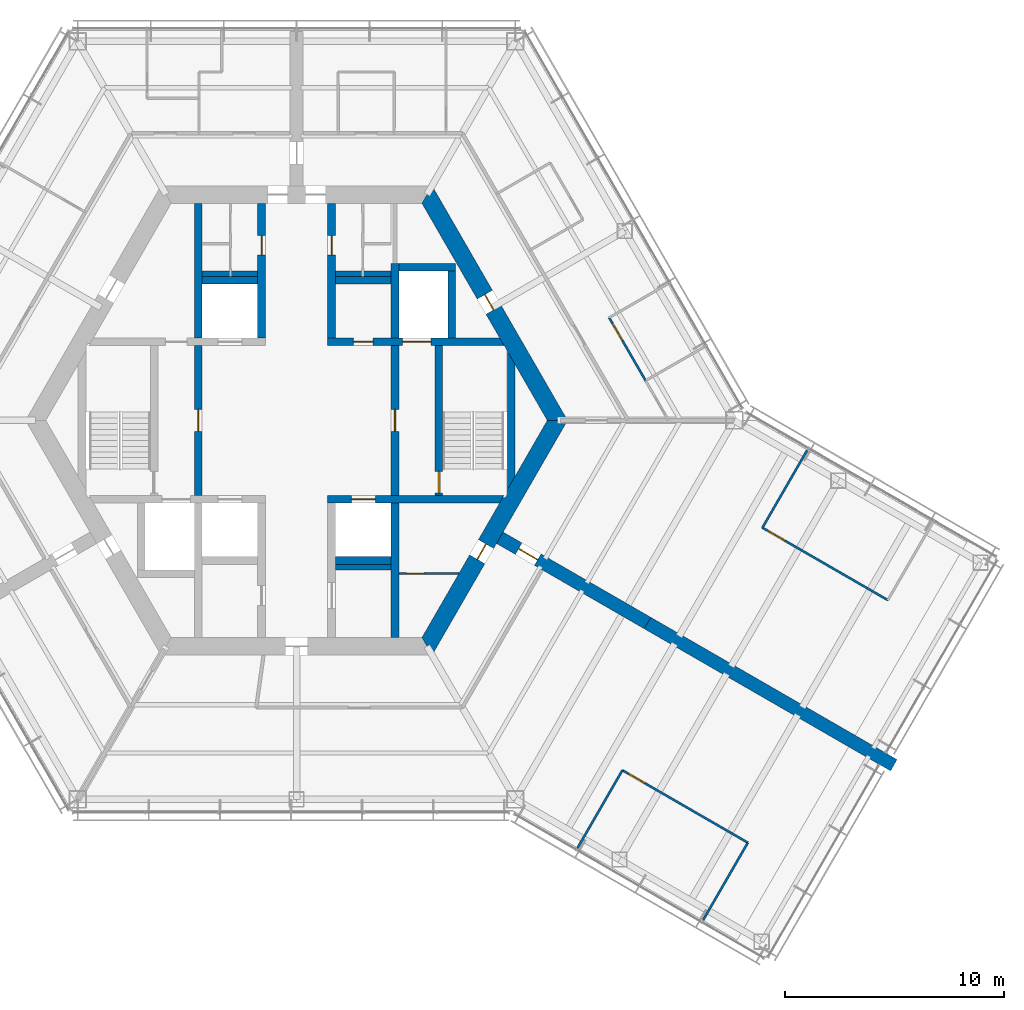
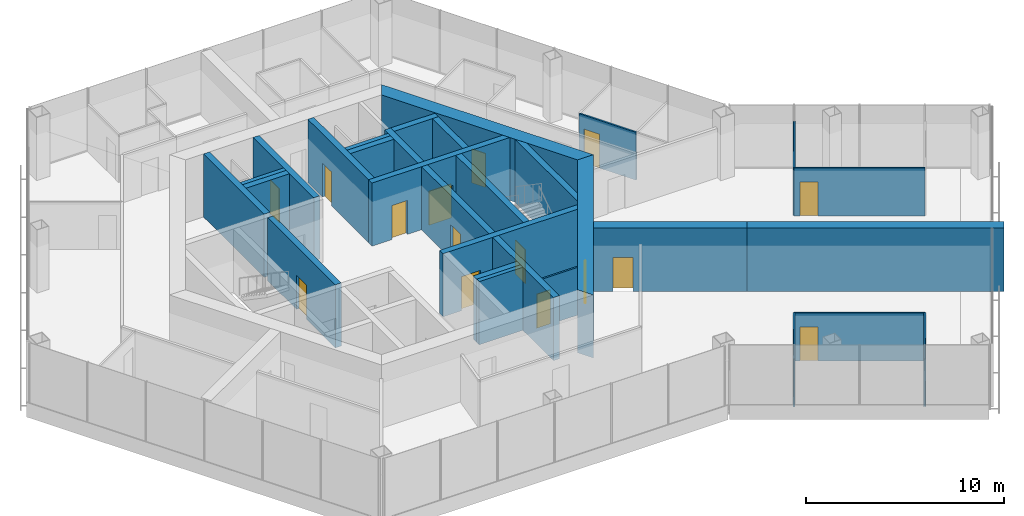
# One storey, part 11 of 15: 30 walls, 15 doors, 15 openings.
"""IFC4 building model written with IfcOpenShell, lengths in metres."""

from ifc_helpers import new_model, si_unit, direction, frame, frame_2d, origin, place, context, subcontext, project, spatial, polyline, rectangle, outline, extrude, material, layer, layer_set, type_object, element, fill, save


model = new_model("IFC4")

# Units and contexts
model_context = context("Model", 3, precision=1e-05, world=origin(), true_north=direction((0.0, 1.0)))
body_context = subcontext(model_context, "Body", "Model", "MODEL_VIEW")
ifc_project = project(units=[si_unit("LENGTHUNIT", "METRE"), si_unit("AREAUNIT", "SQUARE_METRE"), si_unit("VOLUMEUNIT", "CUBIC_METRE"), si_unit("PLANEANGLEUNIT", "RADIAN"), si_unit("MASSUNIT", "GRAM", prefix="KILO")], contexts=[model_context])

# Site, building, storey
site_placement = place(None, origin())
site = spatial("IfcSite", under=ifc_project, at=site_placement, CompositionType="ELEMENT")
building_placement = place(site_placement, origin())
building = spatial("IfcBuilding", under=site, at=building_placement, Name="Kasaneha Research Tower", CompositionType="ELEMENT")
storey_placement = place(building_placement, frame((0.0, 0.0, 220.60009765625)))
storey = spatial("IfcBuildingStorey", under=building, at=storey_placement, Name="L55", CompositionType="ELEMENT", Elevation=220.60009765625)

# Wall, openings, doors
ifc_material_1 = material(Name="Concrete Fc60", Category="concrete")
ifc_layer_1 = layer(ifc_material_1, 0.35009765625)
ifc_layer_set_1 = layer_set([ifc_layer_1], Name="Core internal wall 350 Fc60")
wall_type_1 = type_object("IfcWallType", Name="Core internal wall 350 Fc60", PredefinedType="SHEAR", material=ifc_layer_set_1)
wall_1_placement = place(storey_placement, frame((1.425048828125, 3.60009765625, 0.0), z_axis=(0.0, 0.0, 1.0), x_axis=(1.0, 0.0, 0.0)))
wall_1 = element("IfcWall", 1, at=wall_1_placement, inside=storey, type_object=wall_type_1, Name="Core wall W1E L55", PredefinedType="SHEAR", context=body_context, shape_type="SweptSolid", body=[
    extrude(outline(polyline([(0.0, -0.175048828125), (1.175048828125, -0.175048828125), (2.074951171875, -0.175048828125), (3.425048828125, -0.175048828125), (4.72509765625, -0.175048828125), (8.057861328125, -0.175048828125), (7.855712890625, 0.175048828125), (4.72509765625, 0.175048828125), (3.425048828125, 0.175048828125), (2.074951171875, 0.175048828125), (1.175048828125, 0.175048828125), (0.0, 0.175048828125), (0.0, -0.175048828125)])), origin(), (0.0, 0.0, 1.0), 3.89990234375),
])
opening_1_placement = place(wall_1_placement, frame((1.175048828125, 0.0, 0.0)))
opening_1 = element("IfcOpeningElement", 2, at=opening_1_placement, cuts=wall_1, Name="Opening L55-D17", PredefinedType="OPENING", context=body_context, shape_type="SweptSolid", body=[
    extrude(rectangle(XDim=0.89990234375, YDim=2.10009765625, at=frame_2d((0.449951171875, 1.050048828125))), frame((0.0, 0.18505859375, 0.0), z_axis=(0.0, -1.0, 0.0), x_axis=(1.0, 0.0, 0.0)), (0.0, 0.0, 1.0), 0.3701171875),
])
opening_2_placement = place(wall_1_placement, frame((3.425048828125, 0.0, 0.0)))
opening_2 = element("IfcOpeningElement", 3, at=opening_2_placement, cuts=wall_1, Name="Opening LD-FL1-L55", PredefinedType="OPENING", context=body_context, shape_type="SweptSolid", body=[
    extrude(rectangle(XDim=1.300048828125, YDim=2.10009765625, at=frame_2d((0.64990234375, 1.050048828125))), frame((0.0, 0.18505859375, 0.0), z_axis=(0.0, -1.0, 0.0), x_axis=(1.0, 0.0, 0.0)), (0.0, 0.0, 1.0), 0.3701171875),
])
ifc_material_2 = material(Name="Steel", Category="steel")
door_type_1 = type_object("IfcDoorType", Name="Lift landing door 1300x2100", OperationType="DOUBLE_DOOR_SLIDING", PredefinedType="DOOR", material=ifc_material_2)
door_1_placement = place(opening_2_placement, origin())
door_1 = element("IfcDoor", 4, at=door_1_placement, inside=storey, type_object=door_type_1, Name="Landing door FL1 LD-FL1-L55", OperationType="DOUBLE_DOOR_SLIDING", OverallHeight=2.10009765625, OverallWidth=1.300048828125, PredefinedType="DOOR", context=body_context, shape_type="SweptSolid", body=[
    extrude(rectangle(XDim=1.300048828125, YDim=2.10009765625, at=frame_2d((0.64990234375, 1.050048828125))), frame((0.0, 0.02490234375, 0.0), z_axis=(0.0, -1.0, 0.0), x_axis=(1.0, 0.0, 0.0)), (0.0, 0.0, 1.0), 0.050048828125),
])
fill(opening_2, door_1)
ifc_material_3 = material(Name="Steel", Category="steel")
door_type_2 = type_object("IfcDoorType", Name="Shaft room door FD60 900x2100", OperationType="NOTDEFINED", PredefinedType="DOOR", material=ifc_material_3)
door_2_placement = place(opening_1_placement, origin())
door_2 = element("IfcDoor", 5, at=door_2_placement, inside=storey, type_object=door_type_2, Name="Housekeeping store door L55-D17", OperationType="SINGLE_SWING_LEFT", OverallHeight=2.10009765625, OverallWidth=0.89990234375, PredefinedType="DOOR", context=body_context, shape_type="SweptSolid", body=[
    extrude(rectangle(XDim=0.89990234375, YDim=2.10009765625, at=frame_2d((0.449951171875, 1.050048828125))), frame((0.0, 0.02490234375, 0.0), z_axis=(0.0, -1.0, 0.0), x_axis=(1.0, 0.0, 0.0)), (0.0, 0.0, 1.0), 0.050048828125),
])
fill(opening_1, door_2)

# Wall, opening, door
wall_2_placement = place(storey_placement, frame((1.425048828125, -3.60009765625, 0.0), z_axis=(0.0, 0.0, 1.0), x_axis=(1.0, 0.0, 0.0)))
wall_2 = element("IfcWall", 6, at=wall_2_placement, inside=storey, type_object=wall_type_1, Name="Core wall W2E L55", PredefinedType="SHEAR", context=body_context, shape_type="SweptSolid", body=[
    extrude(outline(polyline([(0.0, -0.175048828125), (1.074951171875, -0.175048828125), (2.175048828125, -0.175048828125), (7.855712890625, -0.175048828125), (8.057861328125, 0.175048828125), (2.175048828125, 0.175048828125), (1.074951171875, 0.175048828125), (0.0, 0.175048828125), (0.0, -0.175048828125)])), origin(), (0.0, 0.0, 1.0), 3.89990234375),
])
opening_3_placement = place(wall_2_placement, frame((1.074951171875, 0.0, 0.0)))
opening_3 = element("IfcOpeningElement", 7, at=opening_3_placement, cuts=wall_2, Name="Opening LD-LH3-L55", PredefinedType="OPENING", context=body_context, shape_type="SweptSolid", body=[
    extrude(rectangle(XDim=1.10009765625, YDim=2.10009765625, at=frame_2d((0.550048828125, 1.050048828125))), frame((0.0, 0.18505859375, 0.0), z_axis=(0.0, -1.0, 0.0), x_axis=(1.0, 0.0, 0.0)), (0.0, 0.0, 1.0), 0.3701171875),
])
ifc_material_4 = material(Name="Steel", Category="steel")
door_type_3 = type_object("IfcDoorType", Name="Lift landing door 1100x2100", OperationType="DOUBLE_DOOR_SLIDING", PredefinedType="DOOR", material=ifc_material_4)
door_3_placement = place(opening_3_placement, origin())
door_3 = element("IfcDoor", 8, at=door_3_placement, inside=storey, type_object=door_type_3, Name="Landing door LH3 LD-LH3-L55", OperationType="DOUBLE_DOOR_SLIDING", OverallHeight=2.10009765625, OverallWidth=1.10009765625, PredefinedType="DOOR", context=body_context, shape_type="SweptSolid", body=[
    extrude(rectangle(XDim=1.10009765625, YDim=2.10009765625, at=frame_2d((0.550048828125, 1.050048828125))), frame((0.0, 0.02490234375, 0.0), z_axis=(0.0, -1.0, 0.0), x_axis=(1.0, 0.0, 0.0)), (0.0, 0.0, 1.0), 0.050048828125),
])
fill(opening_3, door_3)

wall_3_placement = place(storey_placement, frame((-1.60009765625, 3.77490234375, 0.0), z_axis=(0.0, 0.0, 1.0), x_axis=(0.0, 1.0, 0.0)))
wall_3 = element("IfcWall", 9, at=wall_3_placement, inside=storey, type_object=wall_type_1, Name="Core wall CNW L55", PredefinedType="SHEAR", context=body_context, shape_type="SweptSolid", body=[
    extrude(rectangle(XDim=6.150146484375, YDim=0.35009765625, at=frame_2d((3.0751953125, 0.0))), origin(), (0.0, 0.0, 1.0), 3.89990234375),
])
opening_4_placement = place(wall_3_placement, frame((3.77490234375, 0.0, 0.0)))
opening_4 = element("IfcOpeningElement", 10, at=opening_4_placement, cuts=wall_3, Name="Opening L55-D13", PredefinedType="OPENING", context=body_context, shape_type="SweptSolid", body=[
    extrude(rectangle(XDim=0.89990234375, YDim=2.10009765625, at=frame_2d((0.449951171875, 1.050048828125))), frame((0.0, 0.18505859375, 0.0), z_axis=(0.0, -1.0, 0.0), x_axis=(1.0, 0.0, 0.0)), (0.0, 0.0, 1.0), 0.3701171875),
])
ifc_material_5 = material(Name="Steel", Category="steel")
door_type_4 = type_object("IfcDoorType", Name="Toilet door FD20 900x2100", OperationType="NOTDEFINED", PredefinedType="DOOR", material=ifc_material_5)
door_4_placement = place(opening_4_placement, origin())
door_4 = element("IfcDoor", 11, at=door_4_placement, inside=storey, type_object=door_type_4, Name="Men's WC door L55-D13", OperationType="SINGLE_SWING_LEFT", OverallHeight=2.10009765625, OverallWidth=0.89990234375, PredefinedType="DOOR", context=body_context, shape_type="SweptSolid", body=[
    extrude(rectangle(XDim=0.89990234375, YDim=2.10009765625, at=frame_2d((0.449951171875, 1.050048828125))), frame((0.0, 0.02490234375, 0.0), z_axis=(0.0, -1.0, 0.0), x_axis=(1.0, 0.0, 0.0)), (0.0, 0.0, 1.0), 0.050048828125),
])
fill(opening_4, door_4)

wall_4_placement = place(storey_placement, frame((1.60009765625, 3.77490234375, 0.0), z_axis=(0.0, 0.0, 1.0), x_axis=(0.0, 1.0, 0.0)))
wall_4 = element("IfcWall", 12, at=wall_4_placement, inside=storey, type_object=wall_type_1, Name="Core wall CNE L55", PredefinedType="SHEAR", context=body_context, shape_type="SweptSolid", body=[
    extrude(rectangle(XDim=6.150146484375, YDim=0.35009765625, at=frame_2d((3.0751953125, 0.0))), origin(), (0.0, 0.0, 1.0), 3.89990234375),
])
opening_5_placement = place(wall_4_placement, frame((3.77490234375, 0.0, 0.0)))
opening_5 = element("IfcOpeningElement", 13, at=opening_5_placement, cuts=wall_4, Name="Opening L55-D14", PredefinedType="OPENING", context=body_context, shape_type="SweptSolid", body=[
    extrude(rectangle(XDim=0.89990234375, YDim=2.10009765625, at=frame_2d((0.449951171875, 1.050048828125))), frame((0.0, 0.18505859375, 0.0), z_axis=(0.0, -1.0, 0.0), x_axis=(1.0, 0.0, 0.0)), (0.0, 0.0, 1.0), 0.3701171875),
])
door_5_placement = place(opening_5_placement, origin())
door_5 = element("IfcDoor", 14, at=door_5_placement, inside=storey, type_object=door_type_4, Name="Women's WC door L55-D14", OperationType="SINGLE_SWING_LEFT", OverallHeight=2.10009765625, OverallWidth=0.89990234375, PredefinedType="DOOR", context=body_context, shape_type="SweptSolid", body=[
    extrude(rectangle(XDim=0.89990234375, YDim=2.10009765625, at=frame_2d((0.449951171875, 1.050048828125))), frame((0.0, 0.02490234375, 0.0), z_axis=(0.0, -1.0, 0.0), x_axis=(1.0, 0.0, 0.0)), (0.0, 0.0, 1.0), 0.050048828125),
])
fill(opening_5, door_5)

wall_5_placement = place(storey_placement, frame((-4.5, -3.425048828125, 0.0), z_axis=(0.0, 0.0, 1.0), x_axis=(0.0, 1.0, 0.0)))
wall_5 = element("IfcWall", 15, at=wall_5_placement, inside=storey, type_object=wall_type_1, Name="Core wall LBW L55", PredefinedType="SHEAR", context=body_context, shape_type="SweptSolid", body=[
    extrude(rectangle(XDim=6.85009765625, YDim=0.35009765625, at=frame_2d((3.425048828125, 0.0))), origin(), (0.0, 0.0, 1.0), 3.89990234375),
])
opening_6_placement = place(wall_5_placement, frame((2.925048828125, 0.0, 0.0)))
opening_6 = element("IfcOpeningElement", 16, at=opening_6_placement, cuts=wall_5, Name="Opening L55-D09", PredefinedType="OPENING", context=body_context, shape_type="SweptSolid", body=[
    extrude(rectangle(XDim=1.0, YDim=2.10009765625, at=frame_2d((0.5, 1.050048828125))), frame((0.0, 0.18505859375, 0.0), z_axis=(0.0, -1.0, 0.0), x_axis=(1.0, 0.0, 0.0)), (0.0, 0.0, 1.0), 0.3701171875),
])
ifc_material_6 = material(Name="Steel", Category="steel")
door_type_5 = type_object("IfcDoorType", Name="Specified fire door FD60 1000x2100", OperationType="NOTDEFINED", PredefinedType="DOOR", material=ifc_material_6)
door_6_placement = place(opening_6_placement, origin())
door_6 = element("IfcDoor", 17, at=door_6_placement, inside=storey, type_object=door_type_5, Name="Lift lobby door west L55-D09", OperationType="SINGLE_SWING_LEFT", OverallHeight=2.10009765625, OverallWidth=1.0, PredefinedType="DOOR", context=body_context, shape_type="SweptSolid", body=[
    extrude(rectangle(XDim=1.0, YDim=2.10009765625, at=frame_2d((0.5, 1.050048828125))), frame((0.0, 0.02490234375, 0.0), z_axis=(0.0, -1.0, 0.0), x_axis=(1.0, 0.0, 0.0)), (0.0, 0.0, 1.0), 0.050048828125),
])
fill(opening_6, door_6)

wall_6_placement = place(storey_placement, frame((4.5, -3.425048828125, 0.0), z_axis=(0.0, 0.0, 1.0), x_axis=(0.0, 1.0, 0.0)))
wall_6 = element("IfcWall", 18, at=wall_6_placement, inside=storey, type_object=wall_type_1, Name="Core wall LBE L55", PredefinedType="SHEAR", context=body_context, shape_type="SweptSolid", body=[
    extrude(rectangle(XDim=6.85009765625, YDim=0.35009765625, at=frame_2d((3.425048828125, 0.0))), origin(), (0.0, 0.0, 1.0), 3.89990234375),
])
opening_7_placement = place(wall_6_placement, frame((2.925048828125, 0.0, 0.0)))
opening_7 = element("IfcOpeningElement", 19, at=opening_7_placement, cuts=wall_6, Name="Opening L55-D08", PredefinedType="OPENING", context=body_context, shape_type="SweptSolid", body=[
    extrude(rectangle(XDim=1.0, YDim=2.10009765625, at=frame_2d((0.5, 1.050048828125))), frame((0.0, 0.18505859375, 0.0), z_axis=(0.0, -1.0, 0.0), x_axis=(1.0, 0.0, 0.0)), (0.0, 0.0, 1.0), 0.3701171875),
])
door_7_placement = place(opening_7_placement, origin())
door_7 = element("IfcDoor", 20, at=door_7_placement, inside=storey, type_object=door_type_5, Name="Lift lobby door east L55-D08", OperationType="SINGLE_SWING_LEFT", OverallHeight=2.10009765625, OverallWidth=1.0, PredefinedType="DOOR", context=body_context, shape_type="SweptSolid", body=[
    extrude(rectangle(XDim=1.0, YDim=2.10009765625, at=frame_2d((0.5, 1.050048828125))), frame((0.0, 0.02490234375, 0.0), z_axis=(0.0, -1.0, 0.0), x_axis=(1.0, 0.0, 0.0)), (0.0, 0.0, 1.0), 0.050048828125),
])
fill(opening_7, door_7)

wall_7_placement = place(storey_placement, frame((6.5, -3.425048828125, 0.0), z_axis=(0.0, 0.0, 1.0), x_axis=(0.0, 1.0, 0.0)))
wall_7 = element("IfcWall", 21, at=wall_7_placement, inside=storey, type_object=wall_type_1, Name="Core wall ANE L55", PredefinedType="SHEAR", context=body_context, shape_type="SweptSolid", body=[
    extrude(rectangle(XDim=6.85009765625, YDim=0.35009765625, at=frame_2d((3.425048828125, 0.0))), origin(), (0.0, 0.0, 1.0), 3.89990234375),
])
opening_8_placement = place(wall_7_placement, frame((0.10009765625, 0.0, 0.0)))
opening_8 = element("IfcOpeningElement", 22, at=opening_8_placement, cuts=wall_7, Name="Opening L55-D10", PredefinedType="OPENING", context=body_context, shape_type="SweptSolid", body=[
    extrude(rectangle(XDim=1.0, YDim=2.10009765625, at=frame_2d((0.5, 1.050048828125))), frame((0.0, 0.18505859375, 0.0), z_axis=(0.0, -1.0, 0.0), x_axis=(1.0, 0.0, 0.0)), (0.0, 0.0, 1.0), 0.3701171875),
])
door_8_placement = place(opening_8_placement, origin())
door_8 = element("IfcDoor", 23, at=door_8_placement, inside=storey, type_object=door_type_5, Name="Stair 1 door L55-D10", OperationType="SINGLE_SWING_LEFT", OverallHeight=2.10009765625, OverallWidth=1.0, PredefinedType="DOOR", context=body_context, shape_type="SweptSolid", body=[
    extrude(rectangle(XDim=1.0, YDim=2.10009765625, at=frame_2d((0.5, 1.050048828125))), frame((0.0, 0.02490234375, 0.0), z_axis=(0.0, -1.0, 0.0), x_axis=(1.0, 0.0, 0.0)), (0.0, 0.0, 1.0), 0.050048828125),
])
fill(opening_8, door_8)

# Walls
wall_8_placement = place(storey_placement, frame((-4.5, 3.77490234375, 0.0), z_axis=(0.0, 0.0, 1.0), x_axis=(0.0, 1.0, 0.0)))
element("IfcWall", 24, at=wall_8_placement, inside=storey, type_object=wall_type_1, Name="Core wall VNW L55", PredefinedType="SHEAR", context=body_context, shape_type="SweptSolid", body=[
    extrude(rectangle(XDim=6.150146484375, YDim=0.35009765625, at=frame_2d((3.0751953125, 0.0))), origin(), (0.0, 0.0, 1.0), 3.89990234375),
])
wall_9_placement = place(storey_placement, frame((4.5, 3.77490234375, 0.0), z_axis=(0.0, 0.0, 1.0), x_axis=(0.0, 1.0, 0.0)))
element("IfcWall", 25, at=wall_9_placement, inside=storey, type_object=wall_type_1, Name="Core wall FNE L55", PredefinedType="SHEAR", context=body_context, shape_type="SweptSolid", body=[
    extrude(rectangle(XDim=3.400146484375, YDim=0.35009765625, at=frame_2d((1.7001953125, 0.0))), origin(), (0.0, 0.0, 1.0), 3.89990234375),
])
wall_10_placement = place(storey_placement, frame((4.5, -3.77490234375, 0.0), z_axis=(0.0, 0.0, 1.0), x_axis=(0.0, -1.0, 0.0)))
element("IfcWall", 26, at=wall_10_placement, inside=storey, type_object=wall_type_1, Name="Core wall SSE L55", PredefinedType="SHEAR", context=body_context, shape_type="SweptSolid", body=[
    extrude(rectangle(XDim=6.150146484375, YDim=0.35009765625, at=frame_2d((3.0751953125, 0.0))), origin(), (0.0, 0.0, 1.0), 3.89990234375),
])
for number, where, z_axis, x_axis, name in (
    (27, (-4.324951171875, 6.39990234375, 0.0), (0.0, 0.0, 1.0), (1.0, 0.0, 0.0), "Core wall N1N L55"),
    (28, (1.77490234375, 6.39990234375, 0.0), (0.0, 0.0, 1.0), (1.0, 0.0, 0.0), "Core wall N3N L55"),
    (29, (1.77490234375, -6.39990234375, 0.0), (0.0, 0.0, 1.0), (1.0, 0.0, 0.0), "Core wall S3S L55"),
):
    element("IfcWall", number, at=place(storey_placement, frame(where, z_axis=z_axis, x_axis=x_axis)), inside=storey, type_object=wall_type_1, Name=name, PredefinedType="SHEAR", context=body_context, shape_type="SweptSolid", body=[
        extrude(rectangle(XDim=2.550048828125, YDim=0.35009765625, at=frame_2d((1.27490234375, 0.0))), origin(), (0.0, 0.0, 1.0), 3.89990234375),
    ])
wall_11_placement = place(storey_placement, frame((4.675048828125, 7.0, 0.0), z_axis=(0.0, 0.0, 1.0), x_axis=(1.0, 0.0, 0.0)))
element("IfcWall", 30, at=wall_11_placement, inside=storey, type_object=wall_type_1, Name="Core wall F1N L55", PredefinedType="SHEAR", context=body_context, shape_type="SweptSolid", body=[
    extrude(rectangle(XDim=2.599853515625, YDim=0.35009765625, at=frame_2d((1.2998046875, 0.0))), origin(), (0.0, 0.0, 1.0), 3.89990234375),
])
wall_12_placement = place(storey_placement, frame((7.10009765625, 3.77490234375, 0.0), z_axis=(0.0, 0.0, 1.0), x_axis=(0.0, 1.0, 0.0)))
element("IfcWall", 31, at=wall_12_placement, inside=storey, type_object=wall_type_1, Name="Core wall F1E L55", PredefinedType="SHEAR", context=body_context, shape_type="SweptSolid", body=[
    extrude(rectangle(XDim=3.050048828125, YDim=0.35009765625, at=frame_2d((1.52490234375, 0.0))), origin(), (0.0, 0.0, 1.0), 3.89990234375),
])
wall_13_placement = place(storey_placement, frame((9.807861328125, -2.8623046875, 0.0), z_axis=(0.0, 0.0, 1.0), x_axis=(0.0, 1.0, 0.0)))
element("IfcWall", 32, at=wall_13_placement, inside=storey, type_object=wall_type_1, Name="Core wall STE L55", PredefinedType="SHEAR", context=body_context, shape_type="SweptSolid", body=[
    extrude(outline(polyline([(0.30322265625, -0.175048828125), (5.42138671875, -0.175048828125), (6.02783203125, 0.175048828125), (-0.30322265625, 0.175048828125), (0.30322265625, -0.175048828125)])), origin(), (0.0, 0.0, 1.0), 3.89990234375),
])

# Wall, opening, door
ifc_material_7 = material(Name="Concrete Fc60", Category="concrete")
ifc_layer_2 = layer(ifc_material_7, 0.800048828125)
ifc_layer_set_2 = layer_set([ifc_layer_2], Name="Core wall 800 Fc60")
wall_type_2 = type_object("IfcWallType", Name="Core wall 800 Fc60", PredefinedType="SHEAR", material=ifc_layer_set_2)
wall_14_placement = place(storey_placement, frame((11.92236328125, 0.0, 0.0), z_axis=(0.0, 0.0, 1.0), x_axis=(-0.500004296715, 0.866022923061, 0.0)))
wall_14 = element("IfcWall", 33, at=wall_14_placement, inside=storey, type_object=wall_type_2, Name="Core wall 030 L55", PredefinedType="SHEAR", context=body_context, shape_type="SweptSolid", body=[
    extrude(outline(polyline([(-0.23095703125, -0.39990234375), (5.83544921875, -0.39990234375), (6.635498046875, -0.39990234375), (12.1533203125, -0.39990234375), (11.69140625, 0.39990234375), (6.635498046875, 0.39990234375), (5.83544921875, 0.39990234375), (0.23095703125, 0.39990234375), (-0.23095703125, -0.39990234375)])), origin(), (0.0, 0.0, 1.0), 3.89990234375),
])
opening_9_placement = place(wall_14_placement, frame((5.83544921875, 0.0, 0.0)))
opening_9 = element("IfcOpeningElement", 34, at=opening_9_placement, cuts=wall_14, Name="Opening L55-D04", PredefinedType="OPENING", context=body_context, shape_type="SweptSolid", body=[
    extrude(rectangle(XDim=0.800048828125, YDim=2.10009765625, at=frame_2d((0.39990234375, 1.050048828125))), frame((0.0, 0.41015625, 0.0), z_axis=(0.0, -1.0, 0.0), x_axis=(1.0, 0.0, 0.0)), (0.0, 0.0, 1.0), 0.820068359375),
])
ifc_material_8 = material(Name="Steel", Category="steel")
door_type_6 = type_object("IfcDoorType", Name="Riser access door FD60 800x2100", OperationType="NOTDEFINED", PredefinedType="DOOR", material=ifc_material_8)
door_9_placement = place(opening_9_placement, origin())
door_9 = element("IfcDoor", 35, at=door_9_placement, inside=storey, type_object=door_type_6, Name="Pipe riser door L55-D04", OperationType="SINGLE_SWING_RIGHT", OverallHeight=2.10009765625, OverallWidth=0.800048828125, PredefinedType="DOOR", context=body_context, shape_type="SweptSolid", body=[
    extrude(rectangle(XDim=0.800048828125, YDim=2.10009765625, at=frame_2d((0.39990234375, 1.050048828125))), frame((0.0, 0.02490234375, 0.0), z_axis=(0.0, -1.0, 0.0), x_axis=(1.0, 0.0, 0.0)), (0.0, 0.0, 1.0), 0.050048828125),
])
fill(opening_9, door_9)

wall_15_placement = place(storey_placement, frame((5.961181640625, -10.324951171875, 0.0), z_axis=(0.0, 0.0, 1.0), x_axis=(0.500004296715, 0.866022923061, 0.0)))
wall_15 = element("IfcWall", 36, at=wall_15_placement, inside=storey, type_object=wall_type_2, Name="Core wall 330 L55", PredefinedType="SHEAR", context=body_context, shape_type="SweptSolid", body=[
    extrude(outline(polyline([(-0.23095703125, -0.39990234375), (4.593994140625, -0.39990234375), (5.39404296875, -0.39990234375), (12.1533203125, -0.39990234375), (11.69140625, 0.39990234375), (5.39404296875, 0.39990234375), (4.593994140625, 0.39990234375), (0.23095703125, 0.39990234375), (-0.23095703125, -0.39990234375)])), origin(), (0.0, 0.0, 1.0), 3.89990234375),
])
opening_10_placement = place(wall_15_placement, frame((4.593994140625, 0.0, 0.0)))
opening_10 = element("IfcOpeningElement", 37, at=opening_10_placement, cuts=wall_15, Name="Opening L55-D05", PredefinedType="OPENING", context=body_context, shape_type="SweptSolid", body=[
    extrude(rectangle(XDim=0.800048828125, YDim=2.10009765625, at=frame_2d((0.39990234375, 1.050048828125))), frame((0.0, 0.41015625, 0.0), z_axis=(0.0, -1.0, 0.0), x_axis=(1.0, 0.0, 0.0)), (0.0, 0.0, 1.0), 0.820068359375),
])
door_10_placement = place(opening_10_placement, origin())
door_10 = element("IfcDoor", 38, at=door_10_placement, inside=storey, type_object=door_type_6, Name="Pipe riser door L55-D05", OperationType="SINGLE_SWING_LEFT", OverallHeight=2.10009765625, OverallWidth=0.800048828125, PredefinedType="DOOR", context=body_context, shape_type="SweptSolid", body=[
    extrude(rectangle(XDim=0.800048828125, YDim=2.10009765625, at=frame_2d((0.39990234375, 1.050048828125))), frame((0.0, 0.02490234375, 0.0), z_axis=(0.0, -1.0, 0.0), x_axis=(1.0, 0.0, 0.0)), (0.0, 0.0, 1.0), 0.050048828125),
])
fill(opening_10, door_10)

ifc_material_9 = material(Name="Gypsum board on steel studs, one layer each side", Category="steel")
ifc_layer_3 = layer(ifc_material_9, 0.10009765625)
ifc_layer_set_3 = layer_set([ifc_layer_3], Name="Office partition 100")
wall_type_3 = type_object("IfcWallType", Name="Office partition 100", PredefinedType="PARTITIONING", material=ifc_layer_set_3)
wall_16_placement = place(storey_placement, frame((4.675048828125, -7.0, 0.0), z_axis=(0.0, 0.0, 1.0), x_axis=(1.0, 0.0, 0.0)))
wall_16 = element("IfcWall", 39, at=wall_16_placement, inside=storey, type_object=wall_type_3, Name="Office partition RS-SE L55", PredefinedType="PARTITIONING", context=body_context, shape_type="SweptSolid", body=[
    extrude(outline(polyline([(0.0, -0.050048828125), (0.35009765625, -0.050048828125), (1.150146484375, -0.050048828125), (2.715087890625, -0.050048828125), (2.743896484375, 0.0), (2.749755859375, 0.050048828125), (1.150146484375, 0.050048828125), (0.35009765625, 0.050048828125), (0.0, 0.050048828125), (0.0, -0.050048828125)])), origin(), (0.0, 0.0, 1.0), 2.949951171875),
])
opening_11_placement = place(wall_16_placement, frame((0.35009765625, 0.0, 0.0)))
opening_11 = element("IfcOpeningElement", 40, at=opening_11_placement, cuts=wall_16, Name="Opening L55-D25", PredefinedType="OPENING", context=body_context, shape_type="SweptSolid", body=[
    extrude(rectangle(XDim=0.800048828125, YDim=2.10009765625, at=frame_2d((0.39990234375, 1.050048828125))), frame((0.0, 0.06005859375, 0.0), z_axis=(0.0, -1.0, 0.0), x_axis=(1.0, 0.0, 0.0)), (0.0, 0.0, 1.0), 0.1201171875),
])
door_11_placement = place(opening_11_placement, origin())
door_11 = element("IfcDoor", 41, at=door_11_placement, inside=storey, type_object=door_type_6, Name="Drainage riser door L55-D25", OperationType="SINGLE_SWING_LEFT", OverallHeight=2.10009765625, OverallWidth=0.800048828125, PredefinedType="DOOR", context=body_context, shape_type="SweptSolid", body=[
    extrude(rectangle(XDim=0.800048828125, YDim=2.10009765625, at=frame_2d((0.39990234375, 1.050048828125))), frame((0.0, 0.02490234375, 0.0), z_axis=(0.0, -1.0, 0.0), x_axis=(1.0, 0.0, 0.0)), (0.0, 0.0, 1.0), 0.050048828125),
])
fill(opening_11, door_11)

wall_17_placement = place(storey_placement, frame((15.956298828125, 1.812744140625, 0.0), z_axis=(0.0, 0.0, 1.0), x_axis=(-0.501111387448, 0.865382792393, 0.0)))
wall_17 = element("IfcWall", 42, at=wall_17_placement, inside=storey, type_object=wall_type_3, Name="Office partition FAE17 L55", PredefinedType="PARTITIONING", context=body_context, shape_type="SweptSolid", body=[
    extrude(rectangle(XDim=3.3310546875, YDim=0.10009765625, at=frame_2d((1.66552734375, 0.0))), origin(), (0.0, 0.0, 1.0), 2.949951171875),
])
opening_12_placement = place(wall_17_placement, frame((2.130859375, 0.0, 0.0)))
opening_12 = element("IfcOpeningElement", 43, at=opening_12_placement, cuts=wall_17, Name="Opening L55-D32", PredefinedType="OPENING", context=body_context, shape_type="SweptSolid", body=[
    extrude(rectangle(XDim=0.89990234375, YDim=2.10009765625, at=frame_2d((0.449951171875, 1.050048828125))), frame((0.0, 0.06005859375, 0.0), z_axis=(0.0, -1.0, 0.0), x_axis=(1.0, 0.0, 0.0)), (0.0, 0.0, 1.0), 0.1201171875),
])
ifc_material_10 = material(Name="Timber veneer", Category="wood")
door_type_7 = type_object("IfcDoorType", Name="Office door 900x2100", OperationType="SINGLE_SWING_LEFT", PredefinedType="DOOR", material=ifc_material_10)
door_12_placement = place(opening_12_placement, origin())
door_12 = element("IfcDoor", 44, at=door_12_placement, inside=storey, type_object=door_type_7, Name="Workroom door L55-D32", OperationType="SINGLE_SWING_RIGHT", OverallHeight=2.10009765625, OverallWidth=0.89990234375, PredefinedType="DOOR", context=body_context, shape_type="SweptSolid", body=[
    extrude(rectangle(XDim=0.89990234375, YDim=2.10009765625, at=frame_2d((0.449951171875, 1.050048828125))), frame((0.0, 0.02490234375, 0.0), z_axis=(0.0, -1.0, 0.0), x_axis=(1.0, 0.0, 0.0)), (0.0, 0.0, 1.0), 0.050048828125),
])
fill(opening_12, door_12)

# Wall
wall_18_placement = place(storey_placement, frame((21.292236328125, -4.903076171875, 0.0), z_axis=(0.0, 0.0, 1.0), x_axis=(0.500000428765, 0.866025156237, 0.0)))
element("IfcWall", 45, at=wall_18_placement, inside=storey, type_object=wall_type_3, Name="Office partition FCE01 L55", PredefinedType="PARTITIONING", context=body_context, shape_type="SweptSolid", body=[
    extrude(rectangle(XDim=4.080078125, YDim=0.10009765625, at=frame_2d((2.0400390625, 0.0))), origin(), (0.0, 0.0, 1.0), 2.949951171875),
])

# Wall, opening, door
wall_19_placement = place(storey_placement, frame((27.02490234375, -8.212890625, 0.0), z_axis=(0.0, 0.0, 1.0), x_axis=(-0.866021597574, 0.500006592492, 0.0)))
wall_19 = element("IfcWall", 46, at=wall_19_placement, inside=storey, type_object=wall_type_3, Name="Office partition FCE02 L55", PredefinedType="PARTITIONING", context=body_context, shape_type="SweptSolid", body=[
    extrude(rectangle(XDim=6.61962890625, YDim=0.10009765625, at=frame_2d((3.309814453125, 0.0))), origin(), (0.0, 0.0, 1.0), 2.949951171875),
])
opening_13_placement = place(wall_19_placement, frame((5.419677734375, 0.0, 0.0)))
opening_13 = element("IfcOpeningElement", 47, at=opening_13_placement, cuts=wall_19, Name="Opening L55-D41", PredefinedType="OPENING", context=body_context, shape_type="SweptSolid", body=[
    extrude(rectangle(XDim=0.89990234375, YDim=2.10009765625, at=frame_2d((0.449951171875, 1.050048828125))), frame((0.0, 0.06005859375, 0.0), z_axis=(0.0, -1.0, 0.0), x_axis=(1.0, 0.0, 0.0)), (0.0, 0.0, 1.0), 0.1201171875),
])
door_13_placement = place(opening_13_placement, origin())
door_13 = element("IfcDoor", 48, at=door_13_placement, inside=storey, type_object=door_type_7, Name="Project room door L55-D41", OperationType="SINGLE_SWING_RIGHT", OverallHeight=2.10009765625, OverallWidth=0.89990234375, PredefinedType="DOOR", context=body_context, shape_type="SweptSolid", body=[
    extrude(rectangle(XDim=0.89990234375, YDim=2.10009765625, at=frame_2d((0.449951171875, 1.050048828125))), frame((0.0, 0.02490234375, 0.0), z_axis=(0.0, -1.0, 0.0), x_axis=(1.0, 0.0, 0.0)), (0.0, 0.0, 1.0), 0.050048828125),
])
fill(opening_13, door_13)

# Wall
wall_20_placement = place(storey_placement, frame((12.837158203125, -19.547607421875, 0.0), z_axis=(0.0, 0.0, 1.0), x_axis=(0.499965833383, 0.866045128991, 0.0)))
element("IfcWall", 49, at=wall_20_placement, inside=storey, type_object=wall_type_3, Name="Office partition FCS04 L55", PredefinedType="PARTITIONING", context=body_context, shape_type="SweptSolid", body=[
    extrude(rectangle(XDim=4.110107421875, YDim=0.10009765625, at=frame_2d((2.05517578125, 0.0))), origin(), (0.0, 0.0, 1.0), 2.949951171875),
])

# Wall, opening, door
wall_21_placement = place(storey_placement, frame((14.89208984375, -15.988037109375, 0.0), z_axis=(0.0, 0.0, 1.0), x_axis=(0.866030817826, -0.499990622488, 0.0)))
wall_21 = element("IfcWall", 50, at=wall_21_placement, inside=storey, type_object=wall_type_3, Name="Office partition FCS05 L55", PredefinedType="PARTITIONING", context=body_context, shape_type="SweptSolid", body=[
    extrude(rectangle(XDim=6.619873046875, YDim=0.10009765625, at=frame_2d((3.31005859375, 0.0))), origin(), (0.0, 0.0, 1.0), 2.949951171875),
])
opening_14_placement = place(wall_21_placement, frame((0.300048828125, 0.0, 0.0)))
opening_14 = element("IfcOpeningElement", 51, at=opening_14_placement, cuts=wall_21, Name="Opening L55-D43", PredefinedType="OPENING", context=body_context, shape_type="SweptSolid", body=[
    extrude(rectangle(XDim=0.89990234375, YDim=2.10009765625, at=frame_2d((0.449951171875, 1.050048828125))), frame((0.0, 0.06005859375, 0.0), z_axis=(0.0, -1.0, 0.0), x_axis=(1.0, 0.0, 0.0)), (0.0, 0.0, 1.0), 0.1201171875),
])
door_14_placement = place(opening_14_placement, origin())
door_14 = element("IfcDoor", 52, at=door_14_placement, inside=storey, type_object=door_type_7, Name="Meeting room door L55-D43", OperationType="SINGLE_SWING_LEFT", OverallHeight=2.10009765625, OverallWidth=0.89990234375, PredefinedType="DOOR", context=body_context, shape_type="SweptSolid", body=[
    extrude(rectangle(XDim=0.89990234375, YDim=2.10009765625, at=frame_2d((0.449951171875, 1.050048828125))), frame((0.0, 0.02490234375, 0.0), z_axis=(0.0, -1.0, 0.0), x_axis=(1.0, 0.0, 0.0)), (0.0, 0.0, 1.0), 0.050048828125),
])
fill(opening_14, door_14)

# Wall
wall_22_placement = place(storey_placement, frame((20.625, -19.2978515625, 0.0), z_axis=(0.0, 0.0, 1.0), x_axis=(-0.500000428765, -0.866025156237, 0.0)))
element("IfcWall", 53, at=wall_22_placement, inside=storey, type_object=wall_type_3, Name="Office partition FCS06 L55", PredefinedType="PARTITIONING", context=body_context, shape_type="SweptSolid", body=[
    extrude(rectangle(XDim=4.080078125, YDim=0.10009765625, at=frame_2d((2.0400390625, 0.0))), origin(), (0.0, 0.0, 1.0), 2.949951171875),
])

# Wall, opening, door
ifc_material_11 = material(Name="Concrete Fc60", Category="concrete")
ifc_layer_4 = layer(ifc_material_11, 0.60009765625)
ifc_layer_set_4 = layer_set([ifc_layer_4], Name="Spine wall 600 Fc60")
wall_type_4 = type_object("IfcWallType", Name="Spine wall 600 Fc60", PredefinedType="SHEAR", material=ifc_layer_set_4)
wall_23_placement = place(storey_placement, frame((9.2880859375, -5.362548828125, 0.0), z_axis=(0.0, 0.0, 1.0), x_axis=(0.866031736626, -0.499989031036, 0.0)))
wall_23 = element("IfcWall", 54, at=wall_23_placement, inside=storey, type_object=wall_type_4, Name="Spine wall C L55", PredefinedType="SHEAR", context=body_context, shape_type="SweptSolid", body=[
    extrude(rectangle(XDim=7.795654296875, YDim=0.60009765625, at=frame_2d((3.89794921875, 0.0))), origin(), (0.0, 0.0, 1.0), 3.89990234375),
])
opening_15_placement = place(wall_23_placement, frame((1.0, 0.0, 0.0)))
opening_15 = element("IfcOpeningElement", 55, at=opening_15_placement, cuts=wall_23, Name="Opening L55-D20", PredefinedType="OPENING", context=body_context, shape_type="SweptSolid", body=[
    extrude(rectangle(XDim=1.0, YDim=2.10009765625, at=frame_2d((0.5, 1.050048828125))), frame((0.0, 0.31005859375, 0.0), z_axis=(0.0, -1.0, 0.0), x_axis=(1.0, 0.0, 0.0)), (0.0, 0.0, 1.0), 0.6201171875),
])
door_15_placement = place(opening_15_placement, origin())
door_15 = element("IfcDoor", 56, at=door_15_placement, inside=storey, type_object=door_type_5, Name="Spine doorway C L55-D20", OperationType="SINGLE_SWING_LEFT", OverallHeight=2.10009765625, OverallWidth=1.0, PredefinedType="DOOR", context=body_context, shape_type="SweptSolid", body=[
    extrude(rectangle(XDim=1.0, YDim=2.10009765625, at=frame_2d((0.5, 1.050048828125))), frame((0.0, 0.02490234375, 0.0), z_axis=(0.0, -1.0, 0.0), x_axis=(1.0, 0.0, 0.0)), (0.0, 0.0, 1.0), 0.050048828125),
])
fill(opening_15, door_15)

# Walls
wall_24_placement = place(storey_placement, frame((16.039306640625, -9.26025390625, 0.0), z_axis=(0.0, 0.0, 1.0), x_axis=(0.866024837091, -0.50000098154, 0.0)))
element("IfcWall", 57, at=wall_24_placement, inside=storey, type_object=wall_type_4, Name="Spine wall C wing L55", PredefinedType="SHEAR", context=body_context, shape_type="SweptSolid", body=[
    extrude(rectangle(XDim=13.0, YDim=0.60009765625, at=frame_2d((6.5, 0.0))), origin(), (0.0, 0.0, 1.0), 3.89990234375),
])
ifc_material_12 = material(Name="Concrete block lining", Category="concrete")
ifc_layer_5 = layer(ifc_material_12, 0.25)
ifc_layer_set_5 = layer_set([ifc_layer_5], Name="WC plumbing wall 250")
wall_type_5 = type_object("IfcWallType", Name="WC plumbing wall 250", PredefinedType="PLUMBINGWALL", material=ifc_layer_set_5)
for number, where, z_axis, x_axis, name in (
    (58, (-4.324951171875, 6.699951171875, 0.0), (0.0, 0.0, 1.0), (1.0, 0.0, 0.0), "WC plumbing wall M L55"),
    (59, (1.77490234375, 6.699951171875, 0.0), (0.0, 0.0, 1.0), (1.0, 0.0, 0.0), "WC plumbing wall F L55"),
    (60, (1.77490234375, -6.699951171875, 0.0), (0.0, 0.0, 1.0), (1.0, 0.0, 0.0), "WC plumbing wall A L55"),
):
    element("IfcWall", number, at=place(storey_placement, frame(where, z_axis=z_axis, x_axis=x_axis)), inside=storey, type_object=wall_type_5, Name=name, PredefinedType="PLUMBINGWALL", context=body_context, shape_type="SweptSolid", body=[
        extrude(rectangle(XDim=2.550048828125, YDim=0.25, at=frame_2d((1.27490234375, 0.0))), origin(), (0.0, 0.0, 1.0), 3.89990234375),
    ])

save(model, "model.ifc")
